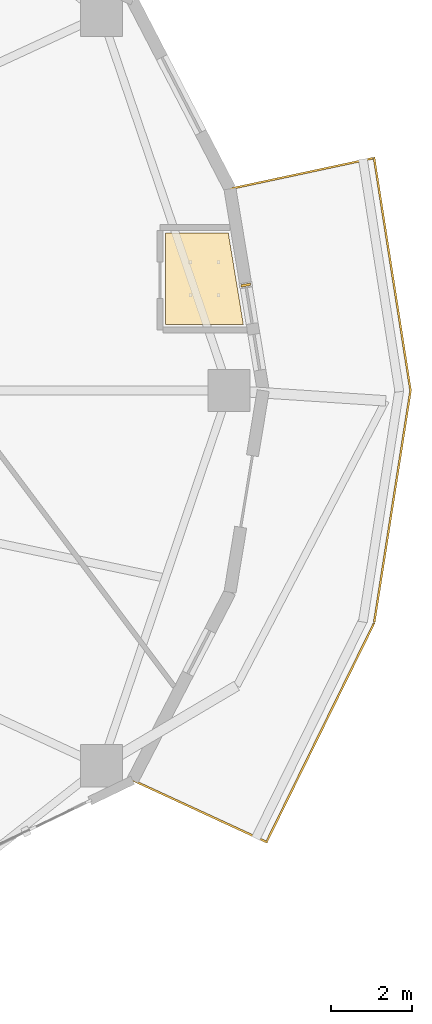
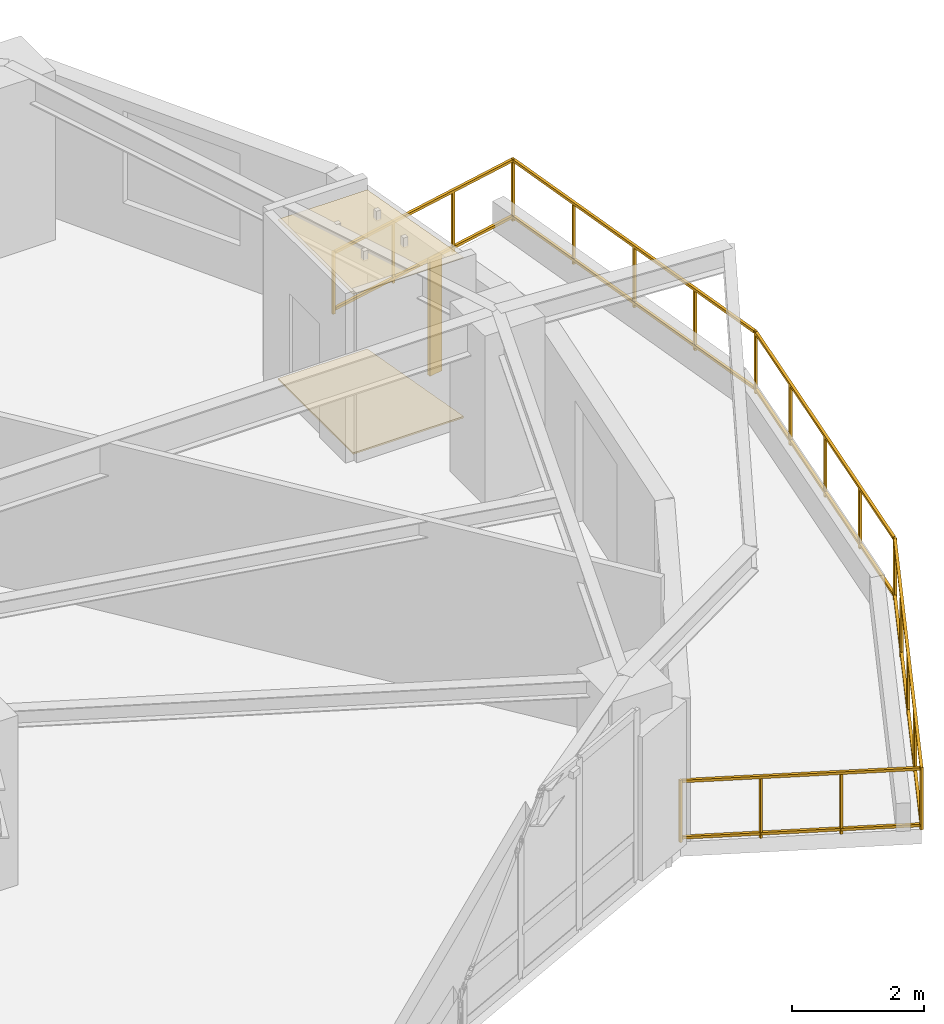
# One storey, part 18 of 19: 2 coverings, 1 railing, 1 shading device.
"""IFC4 building model written with IfcOpenShell, lengths in metres."""

import ifcopenshell
import ifcopenshell.guid

model = None  # the IFC model being written
_history = None  # IfcOwnerHistory: only IFC2X3 demands one
_inside = {}  # id of a spatial element -> (the spatial element, [elements in it])
_under = {}  # id of a project, library or spatial element -> (it, [spatial elements below it])
_declared = {}  # id of a project -> (the project, [libraries it declares])
_typed = {}  # id of a type object -> (the type object, [elements of that type])
_made_of = {}  # id of a material, layer set ... -> (it, [elements and type objects made of it])


def new_model(schema):
    """Start an empty IFC model of exactly this schema.

    Asked for "IFC4X3", IfcOpenShell would pick the latest addendum, in which some entities
    have other attributes; the version numbers below select the first issue.
    IFC2X3 requires an IfcOwnerHistory on every rooted entity: one is made here for all.
    """
    global model, _history
    if schema == "IFC4X3":
        model = ifcopenshell.file(schema_version=(4, 3, 0, 0))
    else:
        model = ifcopenshell.file(schema=schema)
    _inside.clear()
    _under.clear()
    _declared.clear()
    _typed.clear()
    _made_of.clear()
    _history = None
    if model.schema == "IFC2X3":
        org = make("IfcOrganization", Name="unknown")
        user = make(
            "IfcPersonAndOrganization",
            ThePerson=make("IfcPerson", FamilyName="unknown"),
            TheOrganization=org,
        )
        app = make(
            "IfcApplication",
            ApplicationDeveloper=org,
            Version="unknown",
            ApplicationFullName="unknown",
            ApplicationIdentifier="unknown",
        )
        _history = make(
            "IfcOwnerHistory",
            OwningUser=user,
            OwningApplication=app,
            ChangeAction="ADDED",
            CreationDate=0,
        )
    return model


def make(cls, **values):
    """One entity of the class cls with the attributes given. An attribute that is None is left unset."""
    return model.create_entity(
        cls, **{name: value for name, value in values.items() if value is not None}
    )


def rooted(cls, **values):
    """An entity with a GlobalId (a new one), such as an element, a storey or a relation."""
    return make(cls, GlobalId=ifcopenshell.guid.new(), OwnerHistory=_history, **values)


def si_unit(unit_type, name, prefix=None):
    """IfcSIUnit, for example si_unit("LENGTHUNIT", "METRE", prefix="MILLI")."""
    return make("IfcSIUnit", UnitType=unit_type, Prefix=prefix, Name=name)


def assignment(units):
    """IfcUnitAssignment: the units of a project."""
    return None if units is None else make("IfcUnitAssignment", Units=units)


def point(xyz):
    """IfcCartesianPoint."""
    return None if xyz is None else make("IfcCartesianPoint", Coordinates=xyz)


def direction(xyz):
    """IfcDirection."""
    return None if xyz is None else make("IfcDirection", DirectionRatios=xyz)


def frame(location, z_axis=None, x_axis=None):
    """IfcAxis2Placement3D, a coordinate frame: its origin and axes. An axis left out is left unset."""
    return make(
        "IfcAxis2Placement3D",
        Location=point(location),
        Axis=direction(z_axis),
        RefDirection=direction(x_axis),
    )


def frame_2d(location, x_axis=None):
    """IfcAxis2Placement2D, a coordinate frame in the plane: its origin and x axis."""
    return make(
        "IfcAxis2Placement2D", Location=point(location), RefDirection=direction(x_axis)
    )


def origin():
    """The frame at (0, 0, 0) with its axes left unset."""
    return frame((0.0, 0.0, 0.0))


def origin_2d():
    """The frame at (0, 0) in the plane with its x axis left unset."""
    return frame_2d((0.0, 0.0))


def place(relative_to, where):
    """IfcLocalPlacement: puts the frame where relative to a parent placement (None: the world)."""
    return make(
        "IfcLocalPlacement", PlacementRelTo=relative_to, RelativePlacement=where
    )


def context(
    kind, dimensions, precision=None, world=None, true_north=None, identifier=None
):
    """IfcGeometricRepresentationContext, for example the 3D "Model" context."""
    return make(
        "IfcGeometricRepresentationContext",
        ContextIdentifier=identifier,
        ContextType=kind,
        CoordinateSpaceDimension=dimensions,
        Precision=precision,
        WorldCoordinateSystem=world,
        TrueNorth=true_north,
    )


def subcontext(parent, identifier, kind, view, scale=None):
    """IfcGeometricRepresentationSubContext, for example "Body" below "Model"."""
    return make(
        "IfcGeometricRepresentationSubContext",
        ContextIdentifier=identifier,
        ContextType=kind,
        ParentContext=parent,
        TargetScale=scale,
        TargetView=view,
    )


def project(units=None, contexts=None):
    """IfcProject with its units and contexts."""
    return rooted(
        "IfcProject",
        Name="project",
        RepresentationContexts=contexts,
        UnitsInContext=assignment(units),
    )


def spatial(cls, under=None, at=None, **own):
    """A site, building, storey or space (cls), placed at a placement, below another one or the project."""
    s = rooted(cls, ObjectPlacement=at, **own)
    if under is not None:
        _under.setdefault(under.id(), (under, []))[1].append(s)
    return s


def polyline(points):
    """IfcPolyline through the points."""
    return make("IfcPolyline", Points=[point(p) for p in points])


def profile(cls, at=None, kind="AREA", **sizes):
    """A parametric profile (cls). Its sizes go by their IFC names, for example OverallWidth=200.0."""
    return make(cls, ProfileType=kind, Position=at, **sizes)


def rectangle(**sizes):
    """IfcRectangleProfileDef."""
    return profile("IfcRectangleProfileDef", **sizes)


def outline(outer, holes=None, kind="AREA"):
    """IfcArbitraryClosedProfileDef: a profile drawn as a closed curve; with holes, ...WithVoids."""
    if holes is None:
        return make("IfcArbitraryClosedProfileDef", ProfileType=kind, OuterCurve=outer)
    return make(
        "IfcArbitraryProfileDefWithVoids",
        ProfileType=kind,
        OuterCurve=outer,
        InnerCurves=holes,
    )


def extrude(swept, where, along, depth):
    """IfcExtrudedAreaSolid: the profile swept, set in the frame where, extruded along a direction by depth."""
    return make(
        "IfcExtrudedAreaSolid",
        SweptArea=swept,
        Position=where,
        ExtrudedDirection=direction(along),
        Depth=depth,
    )


def shape(context_of_items, identifier, shape_type, items):
    """IfcShapeRepresentation: the items that make up one representation, for example the "Body"."""
    return make(
        "IfcShapeRepresentation",
        ContextOfItems=context_of_items,
        RepresentationIdentifier=identifier,
        RepresentationType=shape_type,
        Items=items,
    )


def material(Name=None, Category=None):
    """IfcMaterial."""
    return make("IfcMaterial", Name=Name, Category=Category)


def layer(
    of_material, thickness, ventilated=None, Name=None, Category=None, Priority=None
):
    """IfcMaterialLayer: one layer of a wall or slab, of a material (None: an air gap)."""
    return make(
        "IfcMaterialLayer",
        Material=of_material,
        LayerThickness=thickness,
        IsVentilated=ventilated,
        Name=Name,
        Category=Category,
        Priority=Priority,
    )


def layer_set(layers, Name=None):
    """IfcMaterialLayerSet."""
    return make("IfcMaterialLayerSet", MaterialLayers=layers, LayerSetName=Name)


def made_of(thing, what):
    """Note that an element or type object is made of a material, layer set ...; save() writes the relation."""
    if what is not None:
        _made_of.setdefault(what.id(), (what, []))[1].append(thing)
    return thing


def type_object(cls, material=None, **own):
    """A type object (cls), such as IfcWallType, which elements share."""
    return made_of(rooted(cls, **own), material)


def element(
    cls,
    number,
    at=None,
    inside=None,
    cuts=None,
    type_object=None,
    material=None,
    context=None,
    identifier="Body",
    shape_type=None,
    held_by="IfcProductDefinitionShape",
    body=None,
    shapes=None,
    **own,
):
    """One element of the class cls, such as IfcWall. Its Tag is "e" and its number.

    at: its placement. inside: the storey or other place that contains it. cuts: it is an
    opening in that element (IfcRelVoidsElement). A single representation is given by context,
    identifier, shape_type and body (its items); several are given by shapes. held_by: the class
    of the entity that holds the representations. save() writes the other relations.
    """
    e = rooted(cls, Tag="e%d" % number, ObjectPlacement=at, **own)
    if body is not None:
        shapes = [shape(context, identifier, shape_type, body)]
    if shapes is not None:
        e.Representation = make(held_by, Representations=shapes)
    if inside is not None:
        _inside.setdefault(inside.id(), (inside, []))[1].append(e)
    if cuts is not None:
        rooted(
            "IfcRelVoidsElement", RelatingBuildingElement=cuts, RelatedOpeningElement=e
        )
    if type_object is not None:
        _typed.setdefault(type_object.id(), (type_object, []))[1].append(e)
    return made_of(e, material)


def aggregate(whole, parts):
    """IfcRelAggregates: a whole, such as a stair, and the parts it consists of."""
    return rooted("IfcRelAggregates", RelatingObject=whole, RelatedObjects=parts)


def save(model, path):
    """Write the relations noted so far, then the file.

    IfcRelAggregates (storeys below a building ...), IfcRelContainedInSpatialStructure (elements
    in a storey), IfcRelDefinesByType, IfcRelAssociatesMaterial and IfcRelDeclares: one each for
    every whole, place, type object, material and project.
    """
    for whole, parts in _under.values():
        aggregate(whole, parts)
    for where, things in _inside.values():
        rooted(
            "IfcRelContainedInSpatialStructure",
            RelatedElements=things,
            RelatingStructure=where,
        )
    for kind, things in _typed.values():
        rooted("IfcRelDefinesByType", RelatedObjects=things, RelatingType=kind)
    for what, things in _made_of.values():
        rooted("IfcRelAssociatesMaterial", RelatedObjects=things, RelatingMaterial=what)
    for by, libraries in _declared.values():
        rooted("IfcRelDeclares", RelatingContext=by, RelatedDefinitions=libraries)
    model.write(path)


model = new_model("IFC4")

# Units and contexts
model_context = context("Model", 3, precision=1e-05, world=origin(), true_north=direction((0.0, 1.0)))
body_context = subcontext(model_context, "Body", "Model", "MODEL_VIEW")
ifc_project = project(units=[si_unit("LENGTHUNIT", "METRE"), si_unit("AREAUNIT", "SQUARE_METRE"), si_unit("VOLUMEUNIT", "CUBIC_METRE"), si_unit("PLANEANGLEUNIT", "RADIAN"), si_unit("MASSUNIT", "GRAM", prefix="KILO")], contexts=[model_context])

# Site, building, storey
site_placement = place(None, origin())
site = spatial("IfcSite", under=ifc_project, at=site_placement, CompositionType="ELEMENT")
building_placement = place(site_placement, origin())
building = spatial("IfcBuilding", under=site, at=building_placement, Name="Kolvaren Gate Tower and Convention Centre", CompositionType="ELEMENT")
storey_placement = place(building_placement, frame((0.0, 0.0, 122.300048828125)))
storey = spatial("IfcBuildingStorey", under=building, at=storey_placement, Name="L30", CompositionType="ELEMENT", Elevation=122.300048828125)

# Coverings
ifc_material_1 = material(Name="Perforated Mineral-Fibre Acoustic Ceiling Tile 18 mm", Category="gypsum")
ifc_layer_1 = layer(ifc_material_1, 0.01806640625)
ifc_layer_set_1 = layer_set([ifc_layer_1], Name="Perforated Mineral-Fibre Acoustic Ceiling Tile 18 mm")
covering_type_1 = type_object("IfcCoveringType", Name="ARCH-COV-CEIL-18", PredefinedType="CEILING", material=ifc_layer_set_1)
covering_1_placement = place(storey_placement, frame((0.0, 0.0, 2.949951171875)))
element("IfcCovering", 1, at=covering_1_placement, inside=storey, type_object=covering_type_1, Name="En-suite Bathroom (HTL-L30-05) Acoustic Suspended Ceiling", PredefinedType="CEILING", context=body_context, shape_type="SweptSolid", body=[
    extrude(outline(polyline([(51.889892578125, 28.639892578125), (51.889892578125, 30.909912109375), (53.446044921875, 30.909912109375), (53.820068359375, 28.639892578125), (51.889892578125, 28.639892578125)])), origin(), (0.0, 0.0, 1.0), 0.01806640625),
])
ifc_material_2 = material(Name="Honed Sabana Limestone Terrazzo Flooring 30 mm", Category="masonry")
ifc_layer_2 = layer(ifc_material_2, 0.030029296875)
ifc_layer_set_2 = layer_set([ifc_layer_2], Name="Honed Sabana Limestone Terrazzo Flooring 30 mm")
covering_type_2 = type_object("IfcCoveringType", Name="ARCH-COV-FLR-30", PredefinedType="FLOORING", material=ifc_layer_set_2)
covering_2_placement = place(storey_placement, origin())
element("IfcCovering", 2, at=covering_2_placement, inside=storey, type_object=covering_type_2, Name="En-suite Bathroom (HTL-L30-05) Interior Finish Flooring", PredefinedType="FLOORING", context=body_context, shape_type="SweptSolid", body=[
    extrude(outline(polyline([(51.889892578125, 28.639892578125), (51.889892578125, 30.909912109375), (53.446044921875, 30.909912109375), (53.820068359375, 28.639892578125), (51.889892578125, 28.639892578125)])), origin(), (0.0, 0.0, 1.0), 0.030029296875),
])

# Railing
ifc_material_3 = material(Name="Brushed Stainless Steel Grade 316L", Category="steel")
railing_type = type_object("IfcRailingType", Name="ARCH-RL-GUARD-1150", PredefinedType="GUARDRAIL", material=ifc_material_3)
railing_placement = place(storey_placement, frame((51.072021484375, 17.324951171875, 0.0)))
element("IfcRailing", 3, at=railing_placement, inside=storey, type_object=railing_type, Name="Tower L30 Terrace Perimeter Guardrail GR-4", PredefinedType="GUARDRAIL", context=body_context, shape_type="SweptSolid", body=[
    extrude(rectangle(XDim=0.048095703125, YDim=0.048095703125, at=origin_2d()), frame((0.025390625, -0.01171875, 1.1259765625), z_axis=(0.907846116663, -0.419303503993, 0.0), x_axis=(0.419303503993, 0.907846116663, 0.0)), (0.0, 0.0, 1.0), 3.60400390625),
    extrude(rectangle(XDim=0.048095703125, YDim=0.048095703125, at=origin_2d()), frame((0.025390625, -0.01171875, 0.083984375), z_axis=(0.907846116663, -0.419303503993, 0.0), x_axis=(0.419303503993, 0.907846116663, 0.0)), (0.0, 0.0, 1.0), 3.60400390625),
    extrude(rectangle(XDim=0.048095703125, YDim=0.048095703125, at=origin_2d()), frame((3.335205078125, -1.509521484375, 1.1259765625), z_axis=(0.441237167293, 0.897390529368, 0.0), x_axis=(-0.897390529368, 0.441237167293, 0.0)), (0.0, 0.0, 1.0), 5.999755859375),
    extrude(rectangle(XDim=0.048095703125, YDim=0.048095703125, at=origin_2d()), frame((3.335205078125, -1.509521484375, 0.083984375), z_axis=(0.441237167293, 0.897390529368, 0.0), x_axis=(-0.897390529368, 0.441237167293, 0.0)), (0.0, 0.0, 1.0), 5.999755859375),
    extrude(rectangle(XDim=0.048095703125, YDim=0.048095703125, at=origin_2d()), frame((5.999267578125, 3.927490234375, 1.1259765625), z_axis=(0.154903030247, 0.987929679289, 0.0), x_axis=(-0.987929679289, 0.154903030247, 0.0)), (0.0, 0.0, 1.0), 5.78955078125),
    extrude(rectangle(XDim=0.048095703125, YDim=0.048095703125, at=origin_2d()), frame((5.999267578125, 3.927490234375, 0.083984375), z_axis=(0.154903030247, 0.987929679289, 0.0), x_axis=(-0.987929679289, 0.154903030247, 0.0)), (0.0, 0.0, 1.0), 5.78955078125),
    extrude(rectangle(XDim=0.048095703125, YDim=0.048095703125, at=origin_2d()), frame((6.89599609375, 9.70263671875, 1.1259765625), z_axis=(-0.154903030247, 0.987929679289, 0.0), x_axis=(-0.987929679289, -0.154903030247, 0.0)), (0.0, 0.0, 1.0), 5.78955078125),
    extrude(rectangle(XDim=0.048095703125, YDim=0.048095703125, at=origin_2d()), frame((6.89599609375, 9.70263671875, 0.083984375), z_axis=(-0.154903030247, 0.987929679289, 0.0), x_axis=(-0.987929679289, -0.154903030247, 0.0)), (0.0, 0.0, 1.0), 5.78955078125),
    extrude(rectangle(XDim=0.048095703125, YDim=0.048095703125, at=origin_2d()), frame((5.967529296875, 15.4443359375, 1.1259765625), z_axis=(-0.977788745232, -0.209592866525, 0.0), x_axis=(0.209592866525, -0.977788745232, 0.0)), (0.0, 0.0, 1.0), 3.603759765625),
    extrude(rectangle(XDim=0.048095703125, YDim=0.048095703125, at=origin_2d()), frame((5.967529296875, 15.4443359375, 0.083984375), z_axis=(-0.977788745232, -0.209592866525, 0.0), x_axis=(0.209592866525, -0.977788745232, 0.0)), (0.0, 0.0, 1.0), 3.603759765625),
    extrude(rectangle(XDim=0.0419921875, YDim=0.0419921875, at=origin_2d()), origin(), (0.0, 0.0, 1.0), 1.14990234375),
    extrude(rectangle(XDim=0.0419921875, YDim=0.0419921875, at=origin_2d()), frame((3.32275390625, -1.53466796875, 0.0)), (0.0, 0.0, 1.0), 1.14990234375),
    extrude(rectangle(XDim=0.0419921875, YDim=0.0419921875, at=origin_2d()), frame((1.107666015625, -0.511474609375, 0.0)), (0.0, 0.0, 1.0), 1.099853515625),
    extrude(rectangle(XDim=0.0419921875, YDim=0.0419921875, at=origin_2d()), frame((2.215087890625, -1.023193359375, 0.0)), (0.0, 0.0, 1.0), 1.099853515625),
    extrude(rectangle(XDim=0.0419921875, YDim=0.0419921875, at=origin_2d()), frame((5.994873046875, 3.89990234375, 0.0)), (0.0, 0.0, 1.0), 1.14990234375),
    extrude(rectangle(XDim=0.0419921875, YDim=0.0419921875, at=origin_2d()), frame((3.99072265625, -0.176025390625, 0.0)), (0.0, 0.0, 1.0), 1.099853515625),
    extrude(rectangle(XDim=0.0419921875, YDim=0.0419921875, at=origin_2d()), frame((4.65869140625, 1.1826171875, 0.0)), (0.0, 0.0, 1.0), 1.099853515625),
    extrude(rectangle(XDim=0.0419921875, YDim=0.0419921875, at=origin_2d()), frame((5.326904296875, 2.541259765625, 0.0)), (0.0, 0.0, 1.0), 1.099853515625),
    extrude(rectangle(XDim=0.0419921875, YDim=0.0419921875, at=origin_2d()), frame((6.900390625, 9.675048828125, 0.0)), (0.0, 0.0, 1.0), 1.14990234375),
    extrude(rectangle(XDim=0.0419921875, YDim=0.0419921875, at=origin_2d()), frame((6.22119140625, 5.34375, 0.0)), (0.0, 0.0, 1.0), 1.099853515625),
    extrude(rectangle(XDim=0.0419921875, YDim=0.0419921875, at=origin_2d()), frame((6.44775390625, 6.78759765625, 0.0)), (0.0, 0.0, 1.0), 1.099853515625),
    extrude(rectangle(XDim=0.0419921875, YDim=0.0419921875, at=origin_2d()), frame((6.674072265625, 8.231201171875, 0.0)), (0.0, 0.0, 1.0), 1.099853515625),
    extrude(rectangle(XDim=0.0419921875, YDim=0.0419921875, at=origin_2d()), frame((5.994873046875, 15.4501953125, 0.0)), (0.0, 0.0, 1.0), 1.14990234375),
    extrude(rectangle(XDim=0.0419921875, YDim=0.0419921875, at=origin_2d()), frame((6.674072265625, 11.118896484375, 0.0)), (0.0, 0.0, 1.0), 1.099853515625),
    extrude(rectangle(XDim=0.0419921875, YDim=0.0419921875, at=origin_2d()), frame((6.44775390625, 12.5625, 0.0)), (0.0, 0.0, 1.0), 1.099853515625),
    extrude(rectangle(XDim=0.0419921875, YDim=0.0419921875, at=origin_2d()), frame((6.22119140625, 14.00634765625, 0.0)), (0.0, 0.0, 1.0), 1.099853515625),
    extrude(rectangle(XDim=0.0419921875, YDim=0.0419921875, at=origin_2d()), frame((2.416259765625, 14.68310546875, 0.0)), (0.0, 0.0, 1.0), 1.14990234375),
    extrude(rectangle(XDim=0.0419921875, YDim=0.0419921875, at=origin_2d()), frame((4.802001953125, 15.194580078125, 0.0)), (0.0, 0.0, 1.0), 1.099853515625),
    extrude(rectangle(XDim=0.0419921875, YDim=0.0419921875, at=origin_2d()), frame((3.609130859375, 14.938720703125, 0.0)), (0.0, 0.0, 1.0), 1.099853515625),
])

# Shading device
ifc_material_4 = material(Name="Kiln-Fired Bogota Terracotta Ceramic Louvre Profile", Category="masonry")
shading_device_type = type_object("IfcShadingDeviceType", Name="ARCH-SHD-FIN-180", PredefinedType="JALOUSIE", material=ifc_material_4)
shading_device_placement = place(storey_placement, frame((53.88134765625, 29.6201171875, 0.219970703125), z_axis=(0.0, 0.0, 1.0), x_axis=(0.162389178836, -0.986726788223, 0.0)))
element("IfcShadingDevice", 4, at=shading_device_placement, inside=storey, type_object=shading_device_type, Name="Ceramic Vertical Brise-Soleil Fin FN-L30-00", PredefinedType="JALOUSIE", context=body_context, shape_type="SweptSolid", body=[
    extrude(rectangle(XDim=0.06005859375, YDim=0.239990234375, at=origin_2d()), origin(), (0.0, 0.0, 1.0), 2.14990234375),
])

save(model, "model.ifc")
